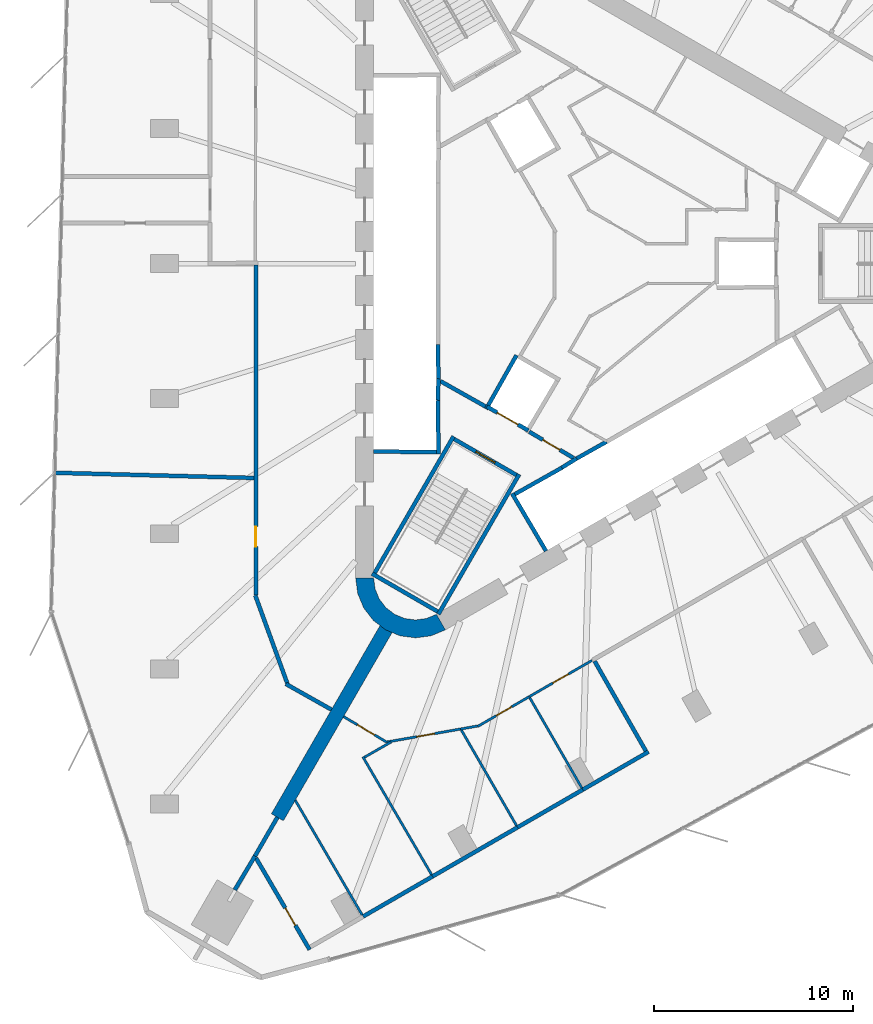
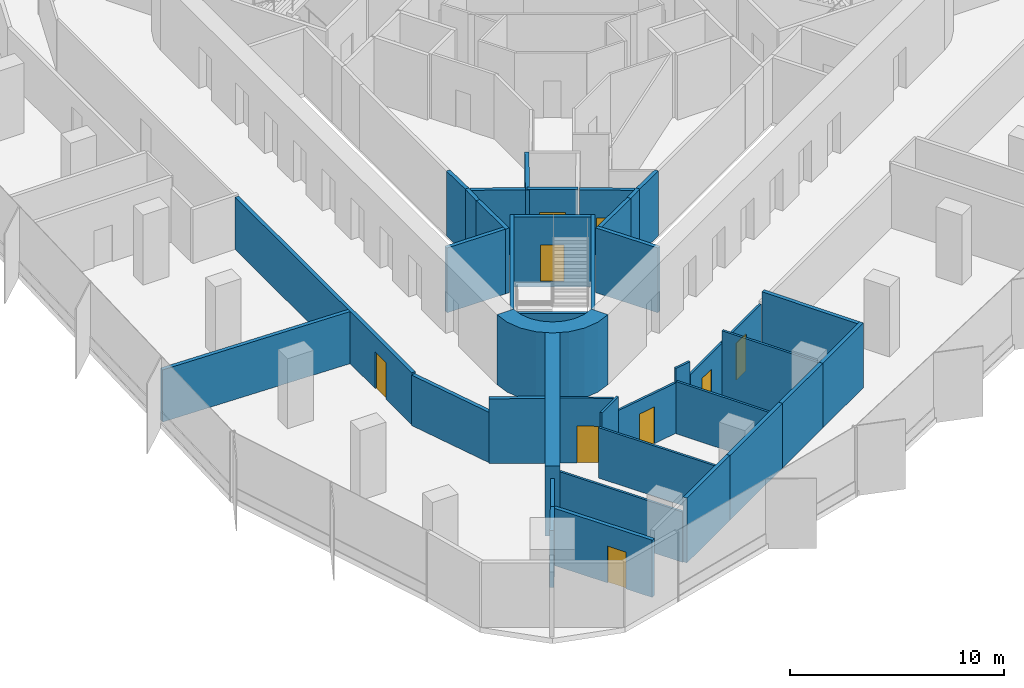
# One storey, part 8 of 14: 40 walls, 9 doors, 9 openings.
"""IFC4 building model written with IfcOpenShell, lengths in metres."""

from ifc_helpers import new_model, si_unit, direction, frame, frame_2d, origin, place, context, subcontext, project, spatial, polyline, rectangle, outline, extrude, material, layer, layer_set, type_object, element, fill, save


model = new_model("IFC4")

# Units and contexts
model_context = context("Model", 3, precision=1e-05, world=origin(), true_north=direction((0.0, 1.0)))
body_context = subcontext(model_context, "Body", "Model", "MODEL_VIEW")
ifc_project = project(units=[si_unit("LENGTHUNIT", "METRE"), si_unit("AREAUNIT", "SQUARE_METRE"), si_unit("VOLUMEUNIT", "CUBIC_METRE"), si_unit("PLANEANGLEUNIT", "RADIAN"), si_unit("MASSUNIT", "GRAM", prefix="KILO")], contexts=[model_context])

# Site, building, storey
site_placement = place(None, origin())
site = spatial("IfcSite", under=ifc_project, at=site_placement, CompositionType="ELEMENT")
building_placement = place(site_placement, origin())
building = spatial("IfcBuilding", under=site, at=building_placement, Name="Tanit Gate Tower", CompositionType="ELEMENT")
storey_placement = place(building_placement, frame((0.0, 0.0, 241.199951171875)))
storey = spatial("IfcBuildingStorey", under=building, at=storey_placement, Name="L54", CompositionType="ELEMENT", Elevation=241.199951171875)

# Walls
ifc_material_1 = material(Name="Concrete C50/60", Category="concrete")
ifc_layer_1 = layer(ifc_material_1, 0.699951171875)
ifc_layer_set_1 = layer_set([ifc_layer_1], Name="BUTTRESS FIN 700 C50/60")
wall_type_1 = type_object("IfcWallType", Name="BUTTRESS FIN 700 C50/60", PredefinedType="SHEAR", material=ifc_layer_set_1)
wall_1_placement = place(storey_placement, frame((-10.574951171875, -18.31640625, 0.0), z_axis=(0.0, 0.0, 1.0), x_axis=(-0.500002931134, -0.866023711487, 0.0)))
element("IfcWall", 1, at=wall_1_placement, inside=storey, type_object=wall_type_1, Name="BUTTRESS FIN", PredefinedType="SHEAR", context=body_context, shape_type="SweptSolid", body=[
    extrude(rectangle(XDim=10.900390625, YDim=0.699951171875, at=frame_2d((5.4501953125, 0.0))), origin(), (0.0, 0.0, 1.0), 4.0),
])
ifc_material_2 = material(Name="Concrete C50/60", Category="concrete")
ifc_layer_2 = layer(ifc_material_2, 0.89990234375)
ifc_layer_set_2 = layer_set([ifc_layer_2], Name="CORE WALL 900 C50/60")
wall_type_2 = type_object("IfcWallType", Name="CORE WALL 900 C50/60", PredefinedType="SHEAR", material=ifc_layer_set_2)
wall_2_placement = place(storey_placement, origin())
element("IfcWall", 2, at=wall_2_placement, inside=storey, type_object=wall_type_2, Name="CORE WALL CORNER", PredefinedType="SHEAR", context=body_context, shape_type="SweptSolid", body=[
    extrude(outline(polyline([(-12.10009765625, -15.76171875), (-11.997802734375, -16.5380859375), (-11.697998046875, -17.26171875), (-11.22119140625, -17.883056640625), (-10.60009765625, -18.359619140625), (-9.87646484375, -18.659423828125), (-9.10009765625, -18.76171875), (-8.323486328125, -18.659423828125), (-7.60009765625, -18.359619140625), (-8.050048828125, -17.580322265625), (-8.556396484375, -17.7900390625), (-9.10009765625, -17.86181640625), (-9.6435546875, -17.7900390625), (-10.14990234375, -17.580322265625), (-10.5849609375, -17.24658203125), (-10.918701171875, -16.811767578125), (-11.12841796875, -16.30517578125), (-11.199951171875, -15.76171875), (-12.10009765625, -15.76171875)])), origin(), (0.0, 0.0, 1.0), 4.0),
])
ifc_material_3 = material(Name="Fire-rated gypsum board partition")
ifc_layer_3 = layer(ifc_material_3, 0.199951171875)
ifc_layer_set_3 = layer_set([ifc_layer_3], Name="INT-WALL-COMPARTMENT")
wall_type_3 = type_object("IfcWallType", Name="INT-WALL-COMPARTMENT", PredefinedType="PARTITIONING", material=ifc_layer_set_3)
wall_3_placement = place(storey_placement, frame((-7.84912109375, -5.893798828125, 0.0), z_axis=(0.0, 0.0, 1.0), x_axis=(0.871340486379, -0.490678873396, 0.0)))
element("IfcWall", 3, at=wall_3_placement, inside=storey, type_object=wall_type_3, Name="Wall Compartment W063", PredefinedType="PARTITIONING", context=body_context, shape_type="SweptSolid", body=[
    extrude(rectangle(XDim=2.580810546875, YDim=0.199951171875, at=frame_2d((1.29052734375, 0.0))), origin(), (0.0, 0.0, 1.0), 3.699951171875),
])

# Wall, opening, door
wall_4_placement = place(storey_placement, frame((-3.400634765625, -8.43017578125, 0.0), z_axis=(0.0, 0.0, 1.0), x_axis=(0.860598681535, -0.509283721849, 0.0)))
wall_4 = element("IfcWall", 4, at=wall_4_placement, inside=storey, type_object=wall_type_3, Name="Wall Compartment W064", PredefinedType="PARTITIONING", context=body_context, shape_type="SweptSolid", body=[
    extrude(rectangle(XDim=2.5810546875, YDim=0.199951171875, at=frame_2d((1.29052734375, 0.0))), origin(), (0.0, 0.0, 1.0), 3.699951171875),
])
opening_1_placement = place(wall_4_placement, frame((0.79052734375, 0.0, 0.0)))
opening_1 = element("IfcOpeningElement", 5, at=opening_1_placement, cuts=wall_4, Name="Opening F10-S15-08", PredefinedType="OPENING", context=body_context, shape_type="SweptSolid", body=[
    extrude(rectangle(XDim=1.0, YDim=2.10009765625, at=frame_2d((0.5, 1.050048828125))), frame((0.0, 0.10986328125, 0.0), z_axis=(0.0, -1.0, 0.0), x_axis=(1.0, 0.0, 0.0)), (0.0, 0.0, 1.0), 0.219970703125),
])
ifc_material_4 = material(Name="Fire-rated steel door leaf", Category="steel")
door_type_1 = type_object("IfcDoorType", Name="INT-DOOR-FIRE-1000", OperationType="NOTDEFINED", PredefinedType="USERDEFINED", material=ifc_material_4)
door_1_placement = place(opening_1_placement, origin())
door_1 = element("IfcDoor", 6, at=door_1_placement, inside=storey, type_object=door_type_1, Name="Door F10-S15-08", ObjectType="FIRE DOOR", OperationType="SINGLE_SWING_RIGHT", OverallHeight=2.10009765625, OverallWidth=1.0, PredefinedType="USERDEFINED", context=body_context, shape_type="SweptSolid", body=[
    extrude(rectangle(XDim=1.0, YDim=2.10009765625, at=frame_2d((0.5, 1.050048828125))), frame((0.0, 0.02490234375, 0.0), z_axis=(0.0, -1.0, 0.0), x_axis=(1.0, 0.0, 0.0)), (0.0, 0.0, 1.0), 0.050048828125),
])
fill(opening_1, door_1)

# Walls
wall_5_placement = place(storey_placement, frame((-15.597900390625, -21.071533203125, 0.0), z_axis=(0.0, 0.0, 1.0), x_axis=(0.871234731294, -0.490866624438, 0.0)))
element("IfcWall", 7, at=wall_5_placement, inside=storey, type_object=wall_type_3, Name="Wall Compartment W098", PredefinedType="PARTITIONING", context=body_context, shape_type="SweptSolid", body=[
    extrude(rectangle(XDim=2.62255859375, YDim=0.199951171875, at=frame_2d((1.311279296875, 0.0))), origin(), (0.0, 0.0, 1.0), 3.699951171875),
])
wall_6_placement = place(storey_placement, frame((-17.13427734375, -16.628662109375, 0.0), z_axis=(0.0, 0.0, 1.0), x_axis=(0.342036655594, -0.939686610647, 0.0)))
element("IfcWall", 8, at=wall_6_placement, inside=storey, type_object=wall_type_3, Name="Wall Compartment W099", PredefinedType="PARTITIONING", context=body_context, shape_type="SweptSolid", body=[
    extrude(rectangle(XDim=4.740234375, YDim=0.199951171875, at=frame_2d((2.3701171875, 0.0))), origin(), (0.0, 0.0, 1.0), 2.880126953125),
])

# Wall, opening, door
wall_7_placement = place(storey_placement, frame((-17.10009765625, -0.070068359375, 0.0), z_axis=(0.0, 0.0, 1.0), x_axis=(0.0, -1.0, 0.0)))
wall_7 = element("IfcWall", 9, at=wall_7_placement, inside=storey, type_object=wall_type_3, Name="Wall Compartment W101", PredefinedType="PARTITIONING", context=body_context, shape_type="SweptSolid", body=[
    extrude(rectangle(XDim=16.552490234375, YDim=0.199951171875, at=frame_2d((8.2763671875, 0.0))), origin(), (0.0, 0.0, 1.0), 2.97998046875),
])
opening_2_placement = place(wall_7_placement, frame((13.115478515625, 0.0, 0.0)))
opening_2 = element("IfcOpeningElement", 10, at=opening_2_placement, cuts=wall_7, Name="Opening F10-S15-31", PredefinedType="OPENING", context=body_context, shape_type="SweptSolid", body=[
    extrude(rectangle(XDim=1.0, YDim=2.10009765625, at=frame_2d((0.5, 1.050048828125))), frame((0.0, 0.10986328125, 0.0), z_axis=(0.0, -1.0, 0.0), x_axis=(1.0, 0.0, 0.0)), (0.0, 0.0, 1.0), 0.219970703125),
])
door_2_placement = place(opening_2_placement, origin())
door_2 = element("IfcDoor", 11, at=door_2_placement, inside=storey, type_object=door_type_1, Name="Door F10-S15-31", ObjectType="FIRE DOOR", OperationType="SINGLE_SWING_RIGHT", OverallHeight=2.10009765625, OverallWidth=1.0, PredefinedType="USERDEFINED", context=body_context, shape_type="SweptSolid", body=[
    extrude(rectangle(XDim=1.0, YDim=2.10009765625, at=frame_2d((0.5, 1.050048828125))), frame((0.0, 0.02490234375, 0.0), z_axis=(0.0, -1.0, 0.0), x_axis=(1.0, 0.0, 0.0)), (0.0, 0.0, 1.0), 0.050048828125),
])
fill(opening_2, door_2)

# Walls
wall_8_placement = place(storey_placement, frame((-17.199951171875, -10.745849609375, 0.0), z_axis=(0.0, 0.0, 1.0), x_axis=(-0.9996635128, 0.025939567783, 0.0)))
element("IfcWall", 12, at=wall_8_placement, inside=storey, type_object=wall_type_3, Name="Wall Compartment W125", PredefinedType="PARTITIONING", context=body_context, shape_type="SweptSolid", body=[
    extrude(rectangle(XDim=9.986083984375, YDim=0.199951171875, at=frame_2d((4.9931640625, 0.0))), origin(), (0.0, 0.0, 1.0), 2.97998046875),
])
wall_9_placement = place(storey_placement, frame((-17.148681640625, -29.7021484375, 0.0), z_axis=(0.0, 0.0, 1.0), x_axis=(0.500042241774, 0.866001014111, 0.0)))
element("IfcWall", 13, at=wall_9_placement, inside=storey, type_object=wall_type_3, Name="Wall Compartment W128", PredefinedType="PARTITIONING", context=body_context, shape_type="SweptSolid", body=[
    extrude(rectangle(XDim=2.246826171875, YDim=0.199951171875, at=frame_2d((1.12353515625, 0.0))), origin(), (0.0, 0.0, 1.0), 3.27001953125),
])
wall_10_placement = place(storey_placement, frame((-18.160888671875, -31.3955078125, 0.0), z_axis=(0.0, 0.0, 1.0), x_axis=(0.512692976909, 0.858572018778, 0.0)))
element("IfcWall", 14, at=wall_10_placement, inside=storey, type_object=wall_type_3, Name="Wall Compartment W127", PredefinedType="PARTITIONING", context=body_context, shape_type="SweptSolid", body=[
    extrude(rectangle(XDim=1.972900390625, YDim=0.199951171875, at=frame_2d((0.986328125, 0.0))), origin(), (0.0, 0.0, 1.0), 3.27001953125),
])
wall_11_placement = place(storey_placement, frame((2.579833984375, -24.46826171875, 0.0), z_axis=(0.0, 0.0, 1.0), x_axis=(-0.866042353438, -0.49997064119, 0.0)))
element("IfcWall", 15, at=wall_11_placement, inside=storey, type_object=wall_type_3, Name="Wall Compartment W145", PredefinedType="PARTITIONING", context=body_context, shape_type="SweptSolid", body=[
    extrude(rectangle(XDim=3.803466796875, YDim=0.199951171875, at=frame_2d((1.90185546875, 0.0))), origin(), (0.0, 0.0, 1.0), 3.699951171875),
])
wall_12_placement = place(storey_placement, frame((-0.714111328125, -26.369873046875, 0.0), z_axis=(0.0, 0.0, 1.0), x_axis=(-0.866008069365, -0.500030022893, 0.0)))
element("IfcWall", 16, at=wall_12_placement, inside=storey, type_object=wall_type_3, Name="Wall Compartment W147", PredefinedType="PARTITIONING", context=body_context, shape_type="SweptSolid", body=[
    extrude(rectangle(XDim=3.779052734375, YDim=0.199951171875, at=frame_2d((1.8896484375, 0.0))), origin(), (0.0, 0.0, 1.0), 3.699951171875),
])
wall_13_placement = place(storey_placement, frame((-3.98681640625, -28.259521484375, 0.0), z_axis=(0.0, 0.0, 1.0), x_axis=(-0.866025160694, -0.500000421045, 0.0)))
element("IfcWall", 17, at=wall_13_placement, inside=storey, type_object=wall_type_3, Name="Wall Compartment W148", PredefinedType="PARTITIONING", context=body_context, shape_type="SweptSolid", body=[
    extrude(rectangle(XDim=4.91650390625, YDim=0.199951171875, at=frame_2d((2.458251953125, 0.0))), origin(), (0.0, 0.0, 1.0), 3.699951171875),
])
wall_14_placement = place(storey_placement, frame((-8.24462890625, -30.7177734375, 0.0), z_axis=(0.0, 0.0, 1.0), x_axis=(-0.866039076139, -0.49997631804, 0.0)))
element("IfcWall", 18, at=wall_14_placement, inside=storey, type_object=wall_type_3, Name="Wall Compartment W149", PredefinedType="PARTITIONING", context=body_context, shape_type="SweptSolid", body=[
    extrude(rectangle(XDim=4.023681640625, YDim=0.199951171875, at=frame_2d((2.01171875, 0.0))), origin(), (0.0, 0.0, 1.0), 3.699951171875),
])
wall_15_placement = place(storey_placement, frame((2.443603515625, -24.431396484375, 0.0), z_axis=(0.0, 0.0, 1.0), x_axis=(-0.495153952563, 0.86880525048, 0.0)))
element("IfcWall", 19, at=wall_15_placement, inside=storey, type_object=wall_type_3, Name="Wall Compartment W146", PredefinedType="PARTITIONING", context=body_context, shape_type="SweptSolid", body=[
    extrude(rectangle(XDim=5.18017578125, YDim=0.199951171875, at=frame_2d((2.590087890625, 0.0))), origin(), (0.0, 0.0, 1.0), 3.699951171875),
])

# Wall, opening, door
wall_16_placement = place(storey_placement, frame((-17.092529296875, -29.803466796875, 0.0), z_axis=(0.0, 0.0, 1.0), x_axis=(0.504838763147, -0.863213660239, 0.0)))
wall_16 = element("IfcWall", 20, at=wall_16_placement, inside=storey, type_object=wall_type_3, Name="Wall Compartment W150", PredefinedType="PARTITIONING", context=body_context, shape_type="SweptSolid", body=[
    extrude(rectangle(XDim=5.315673828125, YDim=0.199951171875, at=frame_2d((2.65771484375, 0.0))), origin(), (0.0, 0.0, 1.0), 3.27001953125),
])
opening_3_placement = place(wall_16_placement, frame((2.89990234375, 0.0, 0.0)))
opening_3 = element("IfcOpeningElement", 21, at=opening_3_placement, cuts=wall_16, Name="Opening F10-S15-30", PredefinedType="OPENING", context=body_context, shape_type="SweptSolid", body=[
    extrude(rectangle(XDim=1.0, YDim=2.10009765625, at=frame_2d((0.5, 1.050048828125))), frame((0.0, 0.10986328125, 0.0), z_axis=(0.0, -1.0, 0.0), x_axis=(1.0, 0.0, 0.0)), (0.0, 0.0, 1.0), 0.219970703125),
])
door_3_placement = place(opening_3_placement, origin())
door_3 = element("IfcDoor", 22, at=door_3_placement, inside=storey, type_object=door_type_1, Name="Door F10-S15-30", ObjectType="FIRE DOOR", OperationType="SINGLE_SWING_LEFT", OverallHeight=2.10009765625, OverallWidth=1.0, PredefinedType="USERDEFINED", context=body_context, shape_type="SweptSolid", body=[
    extrude(rectangle(XDim=1.0, YDim=2.10009765625, at=frame_2d((0.5, 1.050048828125))), frame((0.0, 0.02490234375, 0.0), z_axis=(0.0, -1.0, 0.0), x_axis=(1.0, 0.0, 0.0)), (0.0, 0.0, 1.0), 0.050048828125),
])
fill(opening_3, door_3)

ifc_material_5 = material(Name="Gypsum board partition")
ifc_layer_4 = layer(ifc_material_5, 0.1201171875)
ifc_layer_set_4 = layer_set([ifc_layer_4], Name="INT-WALL-PARTITION")
wall_type_4 = type_object("IfcWallType", Name="INT-WALL-PARTITION", PredefinedType="PARTITIONING", material=ifc_layer_set_4)
wall_17_placement = place(storey_placement, frame((-5.984130859375, -23.200439453125, 0.0), z_axis=(0.0, 0.0, 1.0), x_axis=(0.866005448672, 0.500034561676, 0.0)))
wall_17 = element("IfcWall", 23, at=wall_17_placement, inside=storey, type_object=wall_type_4, Name="Wall Partition W119", PredefinedType="PARTITIONING", context=body_context, shape_type="SweptSolid", body=[
    extrude(rectangle(XDim=2.979248046875, YDim=0.1201171875, at=frame_2d((1.48974609375, 0.0))), origin(), (0.0, 0.0, 1.0), 2.97998046875),
])
opening_4_placement = place(wall_17_placement, frame((1.069580078125, 0.0, 0.0)))
opening_4 = element("IfcOpeningElement", 24, at=opening_4_placement, cuts=wall_17, Name="Opening D09-S15-27", PredefinedType="OPENING", context=body_context, shape_type="SweptSolid", body=[
    extrude(rectangle(XDim=0.89990234375, YDim=2.10009765625, at=frame_2d((0.449951171875, 1.050048828125))), frame((0.0, 0.070068359375, 0.0), z_axis=(0.0, -1.0, 0.0), x_axis=(1.0, 0.0, 0.0)), (0.0, 0.0, 1.0), 0.14013671875),
])
ifc_material_6 = material(Name="Timber door leaf", Category="wood")
door_type_2 = type_object("IfcDoorType", Name="INT-DOOR-SINGLE-900", OperationType="NOTDEFINED", PredefinedType="NOTDEFINED", material=ifc_material_6)
door_4_placement = place(opening_4_placement, origin())
door_4 = element("IfcDoor", 25, at=door_4_placement, inside=storey, type_object=door_type_2, Name="Door D09-S15-27", OperationType="SINGLE_SWING_RIGHT", OverallHeight=2.10009765625, OverallWidth=0.89990234375, PredefinedType="NOTDEFINED", context=body_context, shape_type="SweptSolid", body=[
    extrude(rectangle(XDim=0.89990234375, YDim=2.10009765625, at=frame_2d((0.449951171875, 1.050048828125))), frame((0.0, 0.02490234375, 0.0), z_axis=(0.0, -1.0, 0.0), x_axis=(1.0, 0.0, 0.0)), (0.0, 0.0, 1.0), 0.050048828125),
])
fill(opening_4, door_4)

wall_18_placement = place(storey_placement, frame((-3.404052734375, -21.710693359375, 0.0), z_axis=(0.0, 0.0, 1.0), x_axis=(0.866022210963, 0.500005530088, 0.0)))
wall_18 = element("IfcWall", 26, at=wall_18_placement, inside=storey, type_object=wall_type_4, Name="Wall Partition W118", PredefinedType="PARTITIONING", context=body_context, shape_type="SweptSolid", body=[
    extrude(rectangle(XDim=3.63330078125, YDim=0.1201171875, at=frame_2d((1.816650390625, 0.0))), origin(), (0.0, 0.0, 1.0), 2.97998046875),
])
opening_5_placement = place(wall_18_placement, frame((1.36669921875, 0.0, 0.0)))
opening_5 = element("IfcOpeningElement", 27, at=opening_5_placement, cuts=wall_18, Name="Opening D09-S15-26", PredefinedType="OPENING", context=body_context, shape_type="SweptSolid", body=[
    extrude(rectangle(XDim=0.89990234375, YDim=2.10009765625, at=frame_2d((0.449951171875, 1.050048828125))), frame((0.0, 0.070068359375, 0.0), z_axis=(0.0, -1.0, 0.0), x_axis=(1.0, 0.0, 0.0)), (0.0, 0.0, 1.0), 0.14013671875),
])
door_5_placement = place(opening_5_placement, origin())
door_5 = element("IfcDoor", 28, at=door_5_placement, inside=storey, type_object=door_type_2, Name="Door D09-S15-26", OperationType="SINGLE_SWING_RIGHT", OverallHeight=2.10009765625, OverallWidth=0.89990234375, PredefinedType="NOTDEFINED", context=body_context, shape_type="SweptSolid", body=[
    extrude(rectangle(XDim=0.89990234375, YDim=2.10009765625, at=frame_2d((0.449951171875, 1.050048828125))), frame((0.0, 0.02490234375, 0.0), z_axis=(0.0, -1.0, 0.0), x_axis=(1.0, 0.0, 0.0)), (0.0, 0.0, 1.0), 0.050048828125),
])
fill(opening_5, door_5)

wall_19_placement = place(storey_placement, frame((-10.5498046875, -23.984619140625, 0.0), z_axis=(0.0, 0.0, 1.0), x_axis=(0.984807711093, 0.1736484154, 0.0)))
wall_19 = element("IfcWall", 29, at=wall_19_placement, inside=storey, type_object=wall_type_4, Name="Wall Partition W121", PredefinedType="PARTITIONING", context=body_context, shape_type="SweptSolid", body=[
    extrude(rectangle(XDim=3.763671875, YDim=0.1201171875, at=frame_2d((1.8818359375, 0.0))), origin(), (0.0, 0.0, 1.0), 2.880126953125),
])
opening_6_placement = place(wall_19_placement, frame((1.539794921875, 0.0, 0.0)))
opening_6 = element("IfcOpeningElement", 30, at=opening_6_placement, cuts=wall_19, Name="Opening D09-S15-28", PredefinedType="OPENING", context=body_context, shape_type="SweptSolid", body=[
    extrude(rectangle(XDim=0.89990234375, YDim=2.10009765625, at=frame_2d((0.449951171875, 1.050048828125))), frame((0.0, 0.070068359375, 0.0), z_axis=(0.0, -1.0, 0.0), x_axis=(1.0, 0.0, 0.0)), (0.0, 0.0, 1.0), 0.14013671875),
])
door_6_placement = place(opening_6_placement, origin())
door_6 = element("IfcDoor", 31, at=door_6_placement, inside=storey, type_object=door_type_2, Name="Door D09-S15-28", OperationType="SINGLE_SWING_LEFT", OverallHeight=2.10009765625, OverallWidth=0.89990234375, PredefinedType="NOTDEFINED", context=body_context, shape_type="SweptSolid", body=[
    extrude(rectangle(XDim=0.89990234375, YDim=2.10009765625, at=frame_2d((0.449951171875, 1.050048828125))), frame((0.0, 0.02490234375, 0.0), z_axis=(0.0, -1.0, 0.0), x_axis=(1.0, 0.0, 0.0)), (0.0, 0.0, 1.0), 0.050048828125),
])
fill(opening_6, door_6)

# Wall
wall_20_placement = place(storey_placement, frame((-6.84326171875, -23.3310546875, 0.0), z_axis=(0.0, 0.0, 1.0), x_axis=(0.98477787699, 0.173817527858, 0.0)))
element("IfcWall", 32, at=wall_20_placement, inside=storey, type_object=wall_type_4, Name="Wall Partition W120", PredefinedType="PARTITIONING", context=body_context, shape_type="SweptSolid", body=[
    extrude(rectangle(XDim=0.865234375, YDim=0.1201171875, at=frame_2d((0.4326171875, 0.0))), origin(), (0.0, 0.0, 1.0), 3.699951171875),
])

# Wall, opening, door
wall_21_placement = place(storey_placement, frame((-12.706787109375, -22.708984375, 0.0), z_axis=(0.0, 0.0, 1.0), x_axis=(0.860742216303, -0.509041095663, 0.0)))
wall_21 = element("IfcWall", 33, at=wall_21_placement, inside=storey, type_object=wall_type_4, Name="Wall Partition W122", PredefinedType="PARTITIONING", context=body_context, shape_type="SweptSolid", body=[
    extrude(rectangle(XDim=2.505859375, YDim=0.1201171875, at=frame_2d((1.2529296875, 0.0))), origin(), (0.0, 0.0, 1.0), 3.699951171875),
])
opening_7_placement = place(wall_21_placement, frame((0.802978515625, 0.0, 0.0)))
opening_7 = element("IfcOpeningElement", 34, at=opening_7_placement, cuts=wall_21, Name="Opening D10-S15-29", PredefinedType="OPENING", context=body_context, shape_type="SweptSolid", body=[
    extrude(rectangle(XDim=1.0, YDim=2.10009765625, at=frame_2d((0.5, 1.050048828125))), frame((0.0, 0.070068359375, 0.0), z_axis=(0.0, -1.0, 0.0), x_axis=(1.0, 0.0, 0.0)), (0.0, 0.0, 1.0), 0.14013671875),
])
ifc_material_7 = material(Name="Timber door leaf", Category="wood")
door_type_3 = type_object("IfcDoorType", Name="INT-DOOR-SINGLE-1000", OperationType="NOTDEFINED", PredefinedType="NOTDEFINED", material=ifc_material_7)
door_7_placement = place(opening_7_placement, origin())
door_7 = element("IfcDoor", 35, at=door_7_placement, inside=storey, type_object=door_type_3, Name="Door D10-S15-29", OperationType="SINGLE_SWING_LEFT", OverallHeight=2.10009765625, OverallWidth=1.0, PredefinedType="NOTDEFINED", context=body_context, shape_type="SweptSolid", body=[
    extrude(rectangle(XDim=1.0, YDim=2.10009765625, at=frame_2d((0.5, 1.050048828125))), frame((0.0, 0.02490234375, 0.0), z_axis=(0.0, -1.0, 0.0), x_axis=(1.0, 0.0, 0.0)), (0.0, 0.0, 1.0), 0.050048828125),
])
fill(opening_7, door_7)

# Walls
wall_22_placement = place(storey_placement, frame((-0.76416015625, -26.283447265625, 0.0), z_axis=(0.0, 0.0, 1.0), x_axis=(-0.499972115377, 0.86604150238, 0.0)))
element("IfcWall", 36, at=wall_22_placement, inside=storey, type_object=wall_type_4, Name="Wall Partition W155", PredefinedType="PARTITIONING", context=body_context, shape_type="SweptSolid", body=[
    extrude(rectangle(XDim=5.219970703125, YDim=0.1201171875, at=frame_2d((2.60986328125, 0.0))), origin(), (0.0, 0.0, 1.0), 3.699951171875),
])
wall_23_placement = place(storey_placement, frame((-4.036865234375, -28.1728515625, 0.0), z_axis=(0.0, 0.0, 1.0), x_axis=(-0.500014212531, 0.86601719802, 0.0)))
element("IfcWall", 37, at=wall_23_placement, inside=storey, type_object=wall_type_4, Name="Wall Partition W156", PredefinedType="PARTITIONING", context=body_context, shape_type="SweptSolid", body=[
    extrude(rectangle(XDim=5.529052734375, YDim=0.1201171875, at=frame_2d((2.7646484375, 0.0))), origin(), (0.0, 0.0, 1.0), 2.97998046875),
])
wall_24_placement = place(storey_placement, frame((-8.294921875, -30.63134765625, 0.0), z_axis=(0.0, 0.0, 1.0), x_axis=(-0.503768936745, 0.863838444601, 0.0)))
element("IfcWall", 38, at=wall_24_placement, inside=storey, type_object=wall_type_4, Name="Wall Partition W157", PredefinedType="PARTITIONING", context=body_context, shape_type="SweptSolid", body=[
    extrude(rectangle(XDim=6.840087890625, YDim=0.1201171875, at=frame_2d((3.419921875, 0.0))), origin(), (0.0, 0.0, 1.0), 2.880126953125),
])
wall_25_placement = place(storey_placement, frame((-10.331298828125, -23.983642578125, 0.0), z_axis=(0.0, 0.0, 1.0), x_axis=(-0.867505637863, -0.497427349746, 0.0)))
element("IfcWall", 39, at=wall_25_placement, inside=storey, type_object=wall_type_4, Name="Wall Partition W158", PredefinedType="PARTITIONING", context=body_context, shape_type="SweptSolid", body=[
    extrude(rectangle(XDim=1.52978515625, YDim=0.1201171875, at=frame_2d((0.764892578125, 0.0))), origin(), (0.0, 0.0, 1.0), 3.699951171875),
])
wall_26_placement = place(storey_placement, frame((-15.127685546875, -26.902099609375, 0.0), z_axis=(0.0, 0.0, 1.0), x_axis=(0.503743114679, -0.863853502866, 0.0)))
element("IfcWall", 40, at=wall_26_placement, inside=storey, type_object=wall_type_4, Name="Wall Partition W159", PredefinedType="PARTITIONING", context=body_context, shape_type="SweptSolid", body=[
    extrude(rectangle(XDim=6.64599609375, YDim=0.1201171875, at=frame_2d((3.322998046875, 0.0))), origin(), (0.0, 0.0, 1.0), 2.880126953125),
])
ifc_material_8 = material(Name="Gypsum shaft wall system")
ifc_layer_5 = layer(ifc_material_8, 0.199951171875)
ifc_layer_set_5 = layer_set([ifc_layer_5], Name="INT-WALL-SHAFT")
wall_type_5 = type_object("IfcWallType", Name="INT-WALL-SHAFT", PredefinedType="PLUMBINGWALL", material=ifc_layer_set_5)
wall_27_placement = place(storey_placement, frame((-7.949951171875, -5.7724609375, 0.0), z_axis=(0.0, 0.0, 1.0), x_axis=(-0.030803413295, -0.999525462272, 0.0)))
element("IfcWall", 41, at=wall_27_placement, inside=storey, type_object=wall_type_5, Name="Wall Shaft W008", PredefinedType="PLUMBINGWALL", context=body_context, shape_type="SweptSolid", body=[
    extrude(rectangle(XDim=1.077880859375, YDim=0.199951171875, at=frame_2d((0.5390625, 0.0))), origin(), (0.0, 0.0, 1.0), 3.699951171875),
])
wall_28_placement = place(storey_placement, frame((-7.97998046875, -4.050048828125, 0.0), z_axis=(0.0, 0.0, 1.0), x_axis=(0.016809909365, -0.999858703491, 0.0)))
element("IfcWall", 42, at=wall_28_placement, inside=storey, type_object=wall_type_5, Name="Wall Shaft W009", PredefinedType="PLUMBINGWALL", context=body_context, shape_type="SweptSolid", body=[
    extrude(rectangle(XDim=1.844482421875, YDim=0.199951171875, at=frame_2d((0.92236328125, 0.0))), origin(), (0.0, 0.0, 1.0), 3.699951171875),
])
wall_29_placement = place(storey_placement, frame((-7.97900390625, -6.85009765625, 0.0), z_axis=(0.0, 0.0, 1.0), x_axis=(0.011121475088, -0.999938154483, 0.0)))
element("IfcWall", 43, at=wall_29_placement, inside=storey, type_object=wall_type_5, Name="Wall Shaft W010", PredefinedType="PLUMBINGWALL", context=body_context, shape_type="SweptSolid", body=[
    extrude(rectangle(XDim=2.7001953125, YDim=0.199951171875, at=frame_2d((1.35009765625, 0.0))), origin(), (0.0, 0.0, 1.0), 3.699951171875),
])
wall_30_placement = place(storey_placement, frame((-8.050048828125, -9.448974609375, 0.0), z_axis=(0.0, 0.0, 1.0), x_axis=(-0.999957467379, 0.009222983926, 0.0)))
element("IfcWall", 44, at=wall_30_placement, inside=storey, type_object=wall_type_5, Name="Wall Shaft W011", PredefinedType="PLUMBINGWALL", context=body_context, shape_type="SweptSolid", body=[
    extrude(rectangle(XDim=3.150146484375, YDim=0.199951171875, at=frame_2d((1.5751953125, 0.0))), origin(), (0.0, 0.0, 1.0), 3.699951171875),
])
wall_31_placement = place(storey_placement, frame((-2.557861328125, -14.409423828125, 0.0), z_axis=(0.0, 0.0, 1.0), x_axis=(-0.507997497166, 0.861358544901, 0.0)))
element("IfcWall", 45, at=wall_31_placement, inside=storey, type_object=wall_type_5, Name="Wall Shaft W019", PredefinedType="PLUMBINGWALL", context=body_context, shape_type="SweptSolid", body=[
    extrude(rectangle(XDim=3.350341796875, YDim=0.199951171875, at=frame_2d((1.67529296875, 0.0))), origin(), (0.0, 0.0, 1.0), 3.699951171875),
])
wall_32_placement = place(storey_placement, frame((-1.7685546875, -10.23681640625, 0.0), z_axis=(0.0, 0.0, 1.0), x_axis=(-0.871534483978, -0.490334215854, 0.0)))
element("IfcWall", 46, at=wall_32_placement, inside=storey, type_object=wall_type_5, Name="Wall Shaft W020", PredefinedType="PLUMBINGWALL", context=body_context, shape_type="SweptSolid", body=[
    extrude(rectangle(XDim=2.7001953125, YDim=0.199951171875, at=frame_2d((1.35009765625, 0.0))), origin(), (0.0, 0.0, 1.0), 3.699951171875),
])
wall_33_placement = place(storey_placement, frame((-1.02392578125, -9.77099609375, 0.0), z_axis=(0.0, 0.0, 1.0), x_axis=(-0.850348075135, -0.526220629693, 0.0)))
element("IfcWall", 47, at=wall_33_placement, inside=storey, type_object=wall_type_5, Name="Wall Shaft W021", PredefinedType="PLUMBINGWALL", context=body_context, shape_type="SweptSolid", body=[
    extrude(rectangle(XDim=0.878173828125, YDim=0.199951171875, at=frame_2d((0.43896484375, 0.0))), origin(), (0.0, 0.0, 1.0), 3.699951171875),
])
wall_34_placement = place(storey_placement, frame((-1.13037109375, -9.83154296875, 0.0), z_axis=(0.0, 0.0, 1.0), x_axis=(0.871988740738, 0.489525929882, 0.0)))
element("IfcWall", 48, at=wall_34_placement, inside=storey, type_object=wall_type_5, Name="Wall Shaft W022", PredefinedType="PLUMBINGWALL", context=body_context, shape_type="SweptSolid", body=[
    extrude(rectangle(XDim=1.8447265625, YDim=0.199951171875, at=frame_2d((0.92236328125, 0.0))), origin(), (0.0, 0.0, 1.0), 3.699951171875),
])

# Wall, opening, door
wall_35_placement = place(storey_placement, frame((-3.44580078125, -8.3681640625, 0.0), z_axis=(0.0, 0.0, 1.0), x_axis=(-0.866024647952, 0.500001309137, 0.0)))
wall_35 = element("IfcWall", 49, at=wall_35_placement, inside=storey, type_object=wall_type_5, Name="Wall Shaft W045", PredefinedType="PLUMBINGWALL", context=body_context, shape_type="SweptSolid", body=[
    extrude(rectangle(XDim=2.39990234375, YDim=0.199951171875, at=frame_2d((1.199951171875, 0.0))), origin(), (0.0, 0.0, 1.0), 3.699951171875),
])
opening_8_placement = place(wall_35_placement, frame((0.60009765625, 0.0, 0.0)))
opening_8 = element("IfcOpeningElement", 50, at=opening_8_placement, cuts=wall_35, Name="Opening LDFL3-L54", PredefinedType="OPENING", context=body_context, shape_type="SweptSolid", body=[
    extrude(rectangle(XDim=1.199951171875, YDim=2.39990234375, at=frame_2d((0.60009765625, 1.199951171875))), frame((0.0, 0.10986328125, 0.0), z_axis=(0.0, -1.0, 0.0), x_axis=(1.0, 0.0, 0.0)), (0.0, 0.0, 1.0), 0.219970703125),
])
ifc_material_9 = material(Name="Stainless steel sliding door leaf", Category="steel")
door_type_4 = type_object("IfcDoorType", Name="INT-DOOR-LANDING-1200", OperationType="NOTDEFINED", PredefinedType="USERDEFINED", material=ifc_material_9)
door_8_placement = place(opening_8_placement, origin())
door_8 = element("IfcDoor", 51, at=door_8_placement, inside=storey, type_object=door_type_4, Name="Door LDFL3-L54", ObjectType="LANDING DOOR", OperationType="SLIDING_TO_LEFT", OverallHeight=2.39990234375, OverallWidth=1.199951171875, PredefinedType="USERDEFINED", context=body_context, shape_type="SweptSolid", body=[
    extrude(rectangle(XDim=1.199951171875, YDim=2.39990234375, at=frame_2d((0.60009765625, 1.199951171875))), frame((0.0, 0.02490234375, 0.0), z_axis=(0.0, -1.0, 0.0), x_axis=(1.0, 0.0, 0.0)), (0.0, 0.0, 1.0), 0.050048828125),
])
fill(opening_8, door_8)

# Walls
wall_36_placement = place(storey_placement, frame((-5.5625, -7.29638671875, 0.0), z_axis=(0.0, 0.0, 1.0), x_axis=(0.491322718731, 0.870977603649, 0.0)))
element("IfcWall", 52, at=wall_36_placement, inside=storey, type_object=wall_type_5, Name="Wall Shaft W046", PredefinedType="PLUMBINGWALL", context=body_context, shape_type="SweptSolid", body=[
    extrude(rectangle(XDim=3.10009765625, YDim=0.199951171875, at=frame_2d((1.550048828125, 0.0))), origin(), (0.0, 0.0, 1.0), 3.699951171875),
])
ifc_material_10 = material(Name="Concrete C40/50", Category="concrete")
ifc_layer_6 = layer(ifc_material_10, 0.199951171875)
ifc_layer_set_6 = layer_set([ifc_layer_6], Name="INT-WALL-STAIR")
wall_type_6 = type_object("IfcWallType", Name="INT-WALL-STAIR", PredefinedType="SHEAR", material=ifc_layer_set_6)
wall_37_placement = place(storey_placement, frame((-3.904541015625, -10.56298828125, -0.300048828125), z_axis=(0.0, 0.0, 1.0), x_axis=(-0.500012932018, -0.866017937352, 0.0)))
element("IfcWall", 53, at=wall_37_placement, inside=storey, type_object=wall_type_6, Name="Wall Stair W041", PredefinedType="SHEAR", context=body_context, shape_type="SweptSolid", body=[
    extrude(rectangle(XDim=8.099853515625, YDim=0.199951171875, at=frame_2d((4.0498046875, 0.0))), origin(), (0.0, 0.0, 1.0), 4.0),
])
wall_38_placement = place(storey_placement, frame((-11.281982421875, -15.541015625, -0.300048828125), z_axis=(0.0, 0.0, 1.0), x_axis=(0.866000483506, -0.500043160704, 0.0)))
element("IfcWall", 54, at=wall_38_placement, inside=storey, type_object=wall_type_6, Name="Wall Stair W042", PredefinedType="SHEAR", context=body_context, shape_type="SweptSolid", body=[
    extrude(rectangle(XDim=3.800048828125, YDim=0.199951171875, at=frame_2d((1.89990234375, 0.0))), origin(), (0.0, 0.0, 1.0), 4.0),
])
wall_39_placement = place(storey_placement, frame((-7.195556640625, -8.662841796875, -0.300048828125), z_axis=(0.0, 0.0, 1.0), x_axis=(-0.499997992926, -0.866026562566, 0.0)))
element("IfcWall", 55, at=wall_39_placement, inside=storey, type_object=wall_type_6, Name="Wall Stair W043", PredefinedType="SHEAR", context=body_context, shape_type="SweptSolid", body=[
    extrude(rectangle(XDim=7.89990234375, YDim=0.199951171875, at=frame_2d((3.949951171875, 0.0))), origin(), (0.0, 0.0, 1.0), 4.0),
])

# Wall, opening, door
wall_40_placement = place(storey_placement, frame((-4.041259765625, -10.599365234375, -0.300048828125), z_axis=(0.0, 0.0, 1.0), x_axis=(-0.866047807691, 0.499961193289, 0.0)))
wall_40 = element("IfcWall", 56, at=wall_40_placement, inside=storey, type_object=wall_type_6, Name="Wall Stair W044", PredefinedType="SHEAR", context=body_context, shape_type="SweptSolid", body=[
    extrude(rectangle(XDim=3.599853515625, YDim=0.199951171875, at=frame_2d((1.7998046875, 0.0))), origin(), (0.0, 0.0, 1.0), 4.0),
])
opening_9_placement = place(wall_40_placement, frame((1.25, 0.0, 0.300048828125)))
opening_9 = element("IfcOpeningElement", 57, at=opening_9_placement, cuts=wall_40, Name="Opening S11-S15-07", PredefinedType="OPENING", context=body_context, shape_type="SweptSolid", body=[
    extrude(rectangle(XDim=1.10009765625, YDim=2.10009765625, at=frame_2d((0.550048828125, 1.050048828125))), frame((0.0, 0.10986328125, 0.0), z_axis=(0.0, -1.0, 0.0), x_axis=(1.0, 0.0, 0.0)), (0.0, 0.0, 1.0), 0.219970703125),
])
ifc_material_11 = material(Name="Timber door leaf", Category="wood")
door_type_5 = type_object("IfcDoorType", Name="INT-DOOR-STAIR-1100", OperationType="NOTDEFINED", PredefinedType="USERDEFINED", material=ifc_material_11)
door_9_placement = place(opening_9_placement, origin())
door_9 = element("IfcDoor", 58, at=door_9_placement, inside=storey, type_object=door_type_5, Name="Door S11-S15-07", ObjectType="FIRE DOOR", OperationType="SINGLE_SWING_RIGHT", OverallHeight=2.10009765625, OverallWidth=1.10009765625, PredefinedType="USERDEFINED", context=body_context, shape_type="SweptSolid", body=[
    extrude(rectangle(XDim=1.10009765625, YDim=2.10009765625, at=frame_2d((0.550048828125, 1.050048828125))), frame((0.0, 0.02490234375, 0.0), z_axis=(0.0, -1.0, 0.0), x_axis=(1.0, 0.0, 0.0)), (0.0, 0.0, 1.0), 0.050048828125),
])
fill(opening_9, door_9)

save(model, "model.ifc")
